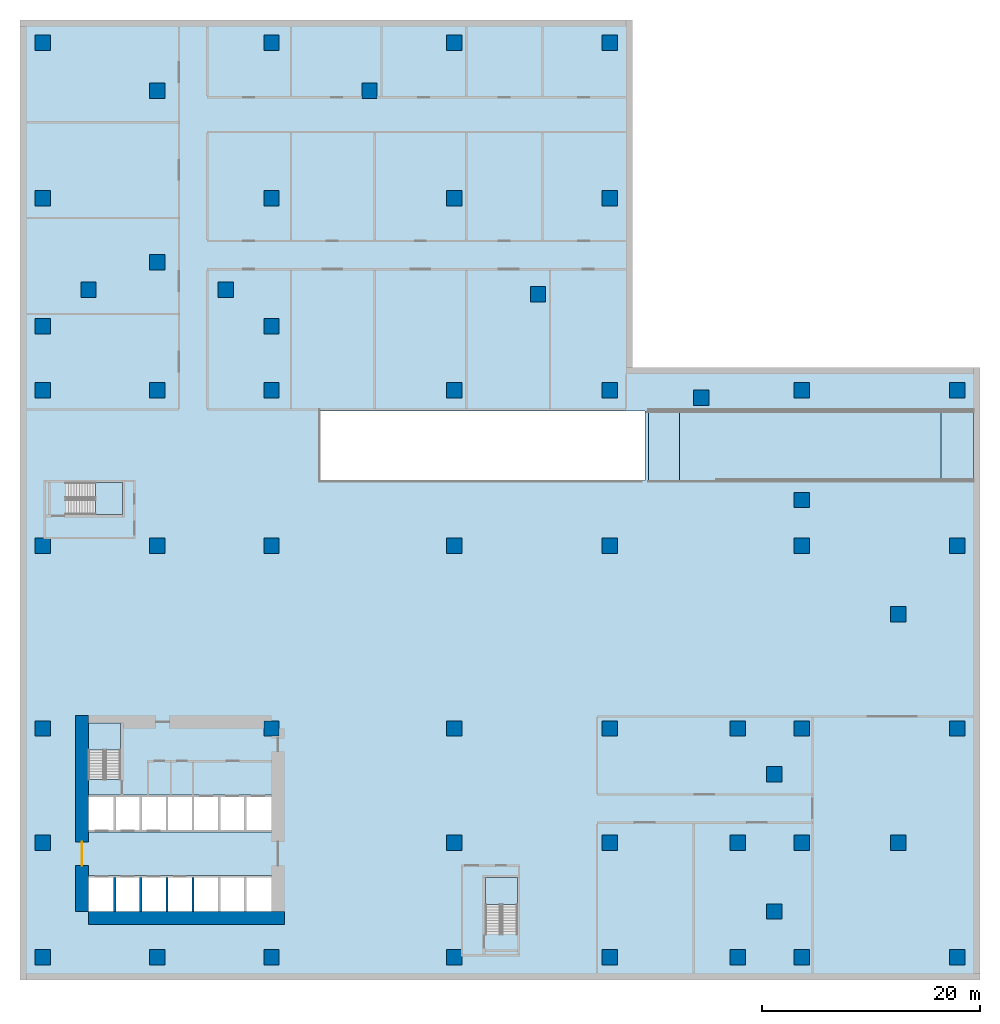
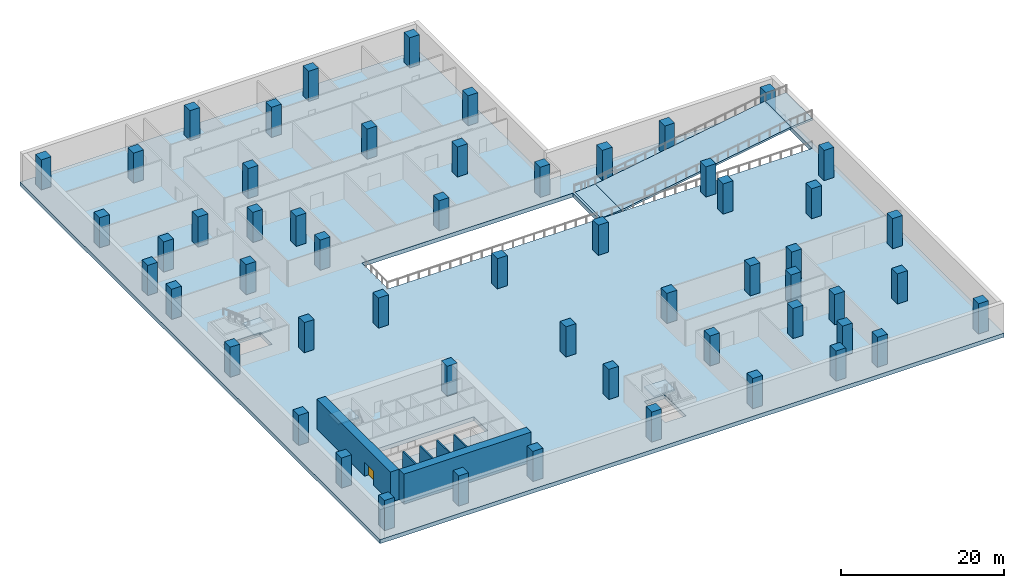
# One storey, part 1 of 12: 56 columns, 7 slabs, 6 walls, 1 door, 1 opening, 3 elements without a shape of their own.
"""IFC4 building model written with IfcOpenShell, lengths in metres."""

import ifcopenshell
import ifcopenshell.guid

model = None  # the IFC model being written
_history = None  # IfcOwnerHistory: only IFC2X3 demands one
_inside = {}  # id of a spatial element -> (the spatial element, [elements in it])
_under = {}  # id of a project, library or spatial element -> (it, [spatial elements below it])
_declared = {}  # id of a project -> (the project, [libraries it declares])
_typed = {}  # id of a type object -> (the type object, [elements of that type])
_made_of = {}  # id of a material, layer set ... -> (it, [elements and type objects made of it])


def new_model(schema):
    """Start an empty IFC model of exactly this schema.

    Asked for "IFC4X3", IfcOpenShell would pick the latest addendum, in which some entities
    have other attributes; the version numbers below select the first issue.
    IFC2X3 requires an IfcOwnerHistory on every rooted entity: one is made here for all.
    """
    global model, _history
    if schema == "IFC4X3":
        model = ifcopenshell.file(schema_version=(4, 3, 0, 0))
    else:
        model = ifcopenshell.file(schema=schema)
    _inside.clear()
    _under.clear()
    _declared.clear()
    _typed.clear()
    _made_of.clear()
    _history = None
    if model.schema == "IFC2X3":
        org = make("IfcOrganization", Name="unknown")
        user = make(
            "IfcPersonAndOrganization",
            ThePerson=make("IfcPerson", FamilyName="unknown"),
            TheOrganization=org,
        )
        app = make(
            "IfcApplication",
            ApplicationDeveloper=org,
            Version="unknown",
            ApplicationFullName="unknown",
            ApplicationIdentifier="unknown",
        )
        _history = make(
            "IfcOwnerHistory",
            OwningUser=user,
            OwningApplication=app,
            ChangeAction="ADDED",
            CreationDate=0,
        )
    return model


def make(cls, **values):
    """One entity of the class cls with the attributes given. An attribute that is None is left unset."""
    return model.create_entity(
        cls, **{name: value for name, value in values.items() if value is not None}
    )


def rooted(cls, **values):
    """An entity with a GlobalId (a new one), such as an element, a storey or a relation."""
    return make(cls, GlobalId=ifcopenshell.guid.new(), OwnerHistory=_history, **values)


def si_unit(unit_type, name, prefix=None):
    """IfcSIUnit, for example si_unit("LENGTHUNIT", "METRE", prefix="MILLI")."""
    return make("IfcSIUnit", UnitType=unit_type, Prefix=prefix, Name=name)


def assignment(units):
    """IfcUnitAssignment: the units of a project."""
    return None if units is None else make("IfcUnitAssignment", Units=units)


def point(xyz):
    """IfcCartesianPoint."""
    return None if xyz is None else make("IfcCartesianPoint", Coordinates=xyz)


def direction(xyz):
    """IfcDirection."""
    return None if xyz is None else make("IfcDirection", DirectionRatios=xyz)


def frame(location, z_axis=None, x_axis=None):
    """IfcAxis2Placement3D, a coordinate frame: its origin and axes. An axis left out is left unset."""
    return make(
        "IfcAxis2Placement3D",
        Location=point(location),
        Axis=direction(z_axis),
        RefDirection=direction(x_axis),
    )


def frame_2d(location, x_axis=None):
    """IfcAxis2Placement2D, a coordinate frame in the plane: its origin and x axis."""
    return make(
        "IfcAxis2Placement2D", Location=point(location), RefDirection=direction(x_axis)
    )


def origin():
    """The frame at (0, 0, 0) with its axes left unset."""
    return frame((0.0, 0.0, 0.0))


def origin_2d():
    """The frame at (0, 0) in the plane with its x axis left unset."""
    return frame_2d((0.0, 0.0))


def place(relative_to, where):
    """IfcLocalPlacement: puts the frame where relative to a parent placement (None: the world)."""
    return make(
        "IfcLocalPlacement", PlacementRelTo=relative_to, RelativePlacement=where
    )


def context(
    kind, dimensions, precision=None, world=None, true_north=None, identifier=None
):
    """IfcGeometricRepresentationContext, for example the 3D "Model" context."""
    return make(
        "IfcGeometricRepresentationContext",
        ContextIdentifier=identifier,
        ContextType=kind,
        CoordinateSpaceDimension=dimensions,
        Precision=precision,
        WorldCoordinateSystem=world,
        TrueNorth=true_north,
    )


def subcontext(parent, identifier, kind, view, scale=None):
    """IfcGeometricRepresentationSubContext, for example "Body" below "Model"."""
    return make(
        "IfcGeometricRepresentationSubContext",
        ContextIdentifier=identifier,
        ContextType=kind,
        ParentContext=parent,
        TargetScale=scale,
        TargetView=view,
    )


def project(units=None, contexts=None):
    """IfcProject with its units and contexts."""
    return rooted(
        "IfcProject",
        Name="project",
        RepresentationContexts=contexts,
        UnitsInContext=assignment(units),
    )


def spatial(cls, under=None, at=None, **own):
    """A site, building, storey or space (cls), placed at a placement, below another one or the project."""
    s = rooted(cls, ObjectPlacement=at, **own)
    if under is not None:
        _under.setdefault(under.id(), (under, []))[1].append(s)
    return s


def polyline(points):
    """IfcPolyline through the points."""
    return make("IfcPolyline", Points=[point(p) for p in points])


def profile(cls, at=None, kind="AREA", **sizes):
    """A parametric profile (cls). Its sizes go by their IFC names, for example OverallWidth=200.0."""
    return make(cls, ProfileType=kind, Position=at, **sizes)


def rectangle(**sizes):
    """IfcRectangleProfileDef."""
    return profile("IfcRectangleProfileDef", **sizes)


def outline(outer, holes=None, kind="AREA"):
    """IfcArbitraryClosedProfileDef: a profile drawn as a closed curve; with holes, ...WithVoids."""
    if holes is None:
        return make("IfcArbitraryClosedProfileDef", ProfileType=kind, OuterCurve=outer)
    return make(
        "IfcArbitraryProfileDefWithVoids",
        ProfileType=kind,
        OuterCurve=outer,
        InnerCurves=holes,
    )


def extrude(swept, where, along, depth):
    """IfcExtrudedAreaSolid: the profile swept, set in the frame where, extruded along a direction by depth."""
    return make(
        "IfcExtrudedAreaSolid",
        SweptArea=swept,
        Position=where,
        ExtrudedDirection=direction(along),
        Depth=depth,
    )


def shape(context_of_items, identifier, shape_type, items):
    """IfcShapeRepresentation: the items that make up one representation, for example the "Body"."""
    return make(
        "IfcShapeRepresentation",
        ContextOfItems=context_of_items,
        RepresentationIdentifier=identifier,
        RepresentationType=shape_type,
        Items=items,
    )


def source(mapping_origin, context_of_items, identifier, shape_type, items):
    """IfcRepresentationMap: a shape defined once, which mapped items show again and again."""
    return make(
        "IfcRepresentationMap",
        MappingOrigin=mapping_origin,
        MappedRepresentation=shape(context_of_items, identifier, shape_type, items),
    )


def transform(
    local_origin,
    x_axis=None,
    y_axis=None,
    z_axis=None,
    scale=None,
    scale2=None,
    scale3=None,
    uniform=True,
):
    """IfcCartesianTransformationOperator3D, or its non-uniform kind. x_axis, y_axis, z_axis: its Axis1, 2, 3."""
    if uniform:
        return make(
            "IfcCartesianTransformationOperator3D",
            Axis1=direction(x_axis),
            Axis2=direction(y_axis),
            LocalOrigin=point(local_origin),
            Scale=scale,
            Axis3=direction(z_axis),
        )
    return make(
        "IfcCartesianTransformationOperator3DnonUniform",
        Axis1=direction(x_axis),
        Axis2=direction(y_axis),
        LocalOrigin=point(local_origin),
        Scale=scale,
        Axis3=direction(z_axis),
        Scale2=scale2,
        Scale3=scale3,
    )


def mapped(mapping_source, mapping_target):
    """IfcMappedItem: shows the shape of a source again, moved by a transform."""
    return make(
        "IfcMappedItem", MappingSource=mapping_source, MappingTarget=mapping_target
    )


def material(Name=None, Category=None):
    """IfcMaterial."""
    return make("IfcMaterial", Name=Name, Category=Category)


def layer(
    of_material, thickness, ventilated=None, Name=None, Category=None, Priority=None
):
    """IfcMaterialLayer: one layer of a wall or slab, of a material (None: an air gap)."""
    return make(
        "IfcMaterialLayer",
        Material=of_material,
        LayerThickness=thickness,
        IsVentilated=ventilated,
        Name=Name,
        Category=Category,
        Priority=Priority,
    )


def layer_set(layers, Name=None):
    """IfcMaterialLayerSet."""
    return make("IfcMaterialLayerSet", MaterialLayers=layers, LayerSetName=Name)


def material_profile(
    of_material, cross_section, Name=None, Category=None, Priority=None
):
    """IfcMaterialProfile: a cross section and its material."""
    return make(
        "IfcMaterialProfile",
        Name=Name,
        Material=of_material,
        Profile=cross_section,
        Priority=Priority,
        Category=Category,
    )


def profile_set(profiles, Name=None, composite=None):
    """IfcMaterialProfileSet."""
    return make(
        "IfcMaterialProfileSet",
        Name=Name,
        MaterialProfiles=profiles,
        CompositeProfile=composite,
    )


def made_of(thing, what):
    """Note that an element or type object is made of a material, layer set ...; save() writes the relation."""
    if what is not None:
        _made_of.setdefault(what.id(), (what, []))[1].append(thing)
    return thing


def type_object(cls, material=None, **own):
    """A type object (cls), such as IfcWallType, which elements share."""
    return made_of(rooted(cls, **own), material)


def element(
    cls,
    number,
    at=None,
    inside=None,
    cuts=None,
    type_object=None,
    material=None,
    context=None,
    identifier="Body",
    shape_type=None,
    held_by="IfcProductDefinitionShape",
    body=None,
    shapes=None,
    **own,
):
    """One element of the class cls, such as IfcWall. Its Tag is "e" and its number.

    at: its placement. inside: the storey or other place that contains it. cuts: it is an
    opening in that element (IfcRelVoidsElement). A single representation is given by context,
    identifier, shape_type and body (its items); several are given by shapes. held_by: the class
    of the entity that holds the representations. save() writes the other relations.
    """
    e = rooted(cls, Tag="e%d" % number, ObjectPlacement=at, **own)
    if body is not None:
        shapes = [shape(context, identifier, shape_type, body)]
    if shapes is not None:
        e.Representation = make(held_by, Representations=shapes)
    if inside is not None:
        _inside.setdefault(inside.id(), (inside, []))[1].append(e)
    if cuts is not None:
        rooted(
            "IfcRelVoidsElement", RelatingBuildingElement=cuts, RelatedOpeningElement=e
        )
    if type_object is not None:
        _typed.setdefault(type_object.id(), (type_object, []))[1].append(e)
    return made_of(e, material)


def fill(opening, filler):
    """IfcRelFillsElement: the door or window that sits in an opening."""
    return rooted(
        "IfcRelFillsElement",
        RelatingOpeningElement=opening,
        RelatedBuildingElement=filler,
    )


def aggregate(whole, parts):
    """IfcRelAggregates: a whole, such as a stair, and the parts it consists of."""
    return rooted("IfcRelAggregates", RelatingObject=whole, RelatedObjects=parts)


def save(model, path):
    """Write the relations noted so far, then the file.

    IfcRelAggregates (storeys below a building ...), IfcRelContainedInSpatialStructure (elements
    in a storey), IfcRelDefinesByType, IfcRelAssociatesMaterial and IfcRelDeclares: one each for
    every whole, place, type object, material and project.
    """
    for whole, parts in _under.values():
        aggregate(whole, parts)
    for where, things in _inside.values():
        rooted(
            "IfcRelContainedInSpatialStructure",
            RelatedElements=things,
            RelatingStructure=where,
        )
    for kind, things in _typed.values():
        rooted("IfcRelDefinesByType", RelatedObjects=things, RelatingType=kind)
    for what, things in _made_of.values():
        rooted("IfcRelAssociatesMaterial", RelatedObjects=things, RelatingMaterial=what)
    for by, libraries in _declared.values():
        rooted("IfcRelDeclares", RelatingContext=by, RelatedDefinitions=libraries)
    model.write(path)


model = new_model("IFC4")

# Units and contexts
model_context = context("Model", 3, precision=1e-05, world=origin(), true_north=direction((0.0, 1.0)))
body_context = subcontext(model_context, "Body", "Model", "MODEL_VIEW")
ifc_project = project(units=[si_unit("LENGTHUNIT", "METRE"), si_unit("AREAUNIT", "SQUARE_METRE"), si_unit("VOLUMEUNIT", "CUBIC_METRE"), si_unit("PLANEANGLEUNIT", "RADIAN"), si_unit("MASSUNIT", "GRAM", prefix="KILO")], contexts=[model_context])

# Site, building, storey
site_placement = place(None, origin())
site = spatial("IfcSite", under=ifc_project, at=site_placement, CompositionType="ELEMENT")
building_placement = place(site_placement, origin())
building = spatial("IfcBuilding", under=site, at=building_placement, Name="Aurelian Terraces", CompositionType="ELEMENT")
storey_placement = place(building_placement, frame((0.0, 0.0, -4.5)))
storey = spatial("IfcBuildingStorey", under=building, at=storey_placement, Name="B1", CompositionType="ELEMENT", Elevation=-4.5)

# Columns
ifc_material_1 = material(Name="Concrete fc' 83 MPa", Category="concrete")
ifc_material_profile = material_profile(ifc_material_1, rectangle(XDim=1.4, YDim=1.4, at=origin_2d()))
ifc_profile_set = profile_set([ifc_material_profile], Name="Concrete fc' 83 MPa")
column_type = type_object("IfcColumnType", Name="RC COLUMN 1400X1400 FC83", PredefinedType="COLUMN", material=ifc_profile_set)
shared_shape_1 = source(origin(), body_context, "Body", "SweptSolid", [
    extrude(rectangle(XDim=1.4, YDim=1.4, at=origin_2d()), origin(), (0.0, 0.0, 1.0), 4.5),
])
for number, where, z_axis, x_axis, name in (
    (1, (0.0, 0.0, 0.0), (0.0, 0.0, 1.0), (1.0, 0.0, 0.0), "Column 1/A B1"),
    (2, (0.0, 10.5, 0.0), (0.0, 0.0, 1.0), (1.0, 0.0, 0.0), "Column 1/B B1"),
    (3, (0.0, 21.0, 0.0), (0.0, 0.0, 1.0), (1.0, 0.0, 0.0), "Column 1/C B1"),
    (4, (0.0, 37.8, 0.0), (0.0, 0.0, 1.0), (1.0, 0.0, 0.0), "Column 1/E B1"),
    (5, (0.0, 52.08, 0.0), (0.0, 0.0, 1.0), (1.0, 0.0, 0.0), "Column 1/G B1"),
    (6, (0.0, 57.96, 0.0), (0.0, 0.0, 1.0), (1.0, 0.0, 0.0), "Column 1/H B1"),
    (7, (0.0, 69.72, 0.0), (0.0, 0.0, 1.0), (1.0, 0.0, 0.0), "Column 1/J B1"),
    (8, (0.0, 84.0, 0.0), (0.0, 0.0, 1.0), (1.0, 0.0, 0.0), "Column 1/K B1"),
    (9, (4.2, 61.32, 0.0), (0.0, 0.0, 1.0), (1.0, 0.0, 0.0), "Column 4.20/61.32 B1"),
    (10, (10.5, 0.0, 0.0), (0.0, 0.0, 1.0), (1.0, 0.0, 0.0), "Column 2/A B1"),
    (11, (10.5, 37.8, 0.0), (0.0, 0.0, 1.0), (1.0, 0.0, 0.0), "Column 2/E B1"),
    (12, (10.5, 52.08, 0.0), (0.0, 0.0, 1.0), (1.0, 0.0, 0.0), "Column 2/G B1"),
    (13, (10.5, 63.84, 0.0), (0.0, 0.0, 1.0), (1.0, 0.0, 0.0), "Column 2/I B1"),
    (14, (10.5, 79.6, 0.0), (0.0, 0.0, 1.0), (1.0, 0.0, 0.0), "Column 10.50/79.60 B1"),
    (15, (16.8, 61.32, 0.0), (0.0, 0.0, 1.0), (1.0, 0.0, 0.0), "Column 16.80/61.32 B1"),
    (16, (21.0, 0.0, 0.0), (0.0, 0.0, 1.0), (1.0, 0.0, 0.0), "Column 3/A B1"),
    (17, (21.0, 21.0, 0.0), (0.0, 0.0, 1.0), (1.0, 0.0, 0.0), "Column 3/C B1"),
    (18, (21.0, 37.8, 0.0), (0.0, 0.0, 1.0), (1.0, 0.0, 0.0), "Column 3/E B1"),
    (19, (21.0, 52.08, 0.0), (0.0, 0.0, 1.0), (1.0, 0.0, 0.0), "Column 3/G B1"),
    (20, (21.0, 57.96, 0.0), (0.0, 0.0, 1.0), (1.0, 0.0, 0.0), "Column 3/H B1"),
    (21, (21.0, 69.72, 0.0), (0.0, 0.0, 1.0), (1.0, 0.0, 0.0), "Column 3/J B1"),
    (22, (21.0, 84.0, 0.0), (0.0, 0.0, 1.0), (1.0, 0.0, 0.0), "Column 3/K B1"),
    (23, (30.0, 79.6, 0.0), (0.0, 0.0, 1.0), (1.0, 0.0, 0.0), "Column 30.00/79.60 B1"),
    (24, (37.8, 0.0, 0.0), (0.0, 0.0, 1.0), (1.0, 0.0, 0.0), "Column 5/A B1"),
    (25, (37.8, 10.5, 0.0), (0.0, 0.0, 1.0), (1.0, 0.0, 0.0), "Column 5/B B1"),
    (26, (37.8, 21.0, 0.0), (0.0, 0.0, 1.0), (1.0, 0.0, 0.0), "Column 5/C B1"),
    (27, (37.8, 37.8, 0.0), (0.0, 0.0, 1.0), (1.0, 0.0, 0.0), "Column 5/E B1"),
    (28, (37.8, 52.08, 0.0), (0.0, 0.0, 1.0), (1.0, 0.0, 0.0), "Column 5/G B1"),
    (29, (37.8, 69.72, 0.0), (0.0, 0.0, 1.0), (1.0, 0.0, 0.0), "Column 5/J B1"),
    (30, (37.8, 84.0, 0.0), (0.0, 0.0, 1.0), (1.0, 0.0, 0.0), "Column 5/K B1"),
    (31, (45.5, 60.9, 0.0), (0.0, 0.0, 1.0), (1.0, 0.0, 0.0), "Column 45.50/60.90 B1"),
    (32, (52.08, 0.0, 0.0), (0.0, 0.0, 1.0), (1.0, 0.0, 0.0), "Column 7/A B1"),
    (33, (52.08, 10.5, 0.0), (0.0, 0.0, 1.0), (1.0, 0.0, 0.0), "Column 7/B B1"),
    (34, (52.08, 21.0, 0.0), (0.0, 0.0, 1.0), (1.0, 0.0, 0.0), "Column 7/C B1"),
    (35, (52.08, 37.8, 0.0), (0.0, 0.0, 1.0), (1.0, 0.0, 0.0), "Column 7/E B1"),
    (36, (52.08, 52.08, 0.0), (0.0, 0.0, 1.0), (1.0, 0.0, 0.0), "Column 7/G B1"),
    (37, (52.08, 69.72, 0.0), (0.0, 0.0, 1.0), (1.0, 0.0, 0.0), "Column 7/J B1"),
    (38, (52.08, 84.0, 0.0), (0.0, 0.0, 1.0), (1.0, 0.0, 0.0), "Column 7/K B1"),
    (39, (60.5, 51.4, 0.0), (0.0, 0.0, 1.0), (1.0, 0.0, 0.0), "Column 60.50/51.40 B1"),
    (40, (63.84, 0.0, 0.0), (0.0, 0.0, 1.0), (1.0, 0.0, 0.0), "Column 9/A B1"),
    (41, (63.84, 10.5, 0.0), (0.0, 0.0, 1.0), (1.0, 0.0, 0.0), "Column 9/B B1"),
    (42, (63.84, 21.0, 0.0), (0.0, 0.0, 1.0), (1.0, 0.0, 0.0), "Column 9/C B1"),
    (43, (67.2, 4.2, 0.0), (0.0, 0.0, 1.0), (1.0, 0.0, 0.0), "Column 67.20/4.20 B1"),
    (44, (67.2, 16.8, 0.0), (0.0, 0.0, 1.0), (1.0, 0.0, 0.0), "Column 67.20/16.80 B1"),
    (45, (69.72, 0.0, 0.0), (0.0, 0.0, 1.0), (1.0, 0.0, 0.0), "Column 10/A B1"),
    (46, (69.72, 10.5, 0.0), (0.0, 0.0, 1.0), (1.0, 0.0, 0.0), "Column 10/B B1"),
    (47, (69.72, 21.0, 0.0), (0.0, 0.0, 1.0), (1.0, 0.0, 0.0), "Column 10/C B1"),
    (48, (69.72, 37.8, 0.0), (0.0, 0.0, 1.0), (1.0, 0.0, 0.0), "Column 10/E B1"),
    (49, (69.72, 42.0, 0.0), (0.0, 0.0, 1.0), (1.0, 0.0, 0.0), "Column 69.72/42.00 B1"),
    (50, (69.72, 52.08, 0.0), (0.0, 0.0, 1.0), (1.0, 0.0, 0.0), "Column 10/G B1"),
    (51, (78.6, 10.5, 0.0), (0.0, 0.0, 1.0), (1.0, 0.0, 0.0), "Column 78.60/10.50 B1"),
    (52, (78.6, 31.5, 0.0), (0.0, 0.0, 1.0), (1.0, 0.0, 0.0), "Column 78.60/31.50 B1"),
    (53, (84.0, 0.0, 0.0), (0.0, 0.0, 1.0), (1.0, 0.0, 0.0), "Column 11/A B1"),
    (54, (84.0, 21.0, 0.0), (0.0, 0.0, 1.0), (1.0, 0.0, 0.0), "Column 11/C B1"),
    (55, (84.0, 37.8, 0.0), (0.0, 0.0, 1.0), (1.0, 0.0, 0.0), "Column 11/E B1"),
    (56, (84.0, 52.08, 0.0), (0.0, 0.0, 1.0), (1.0, 0.0, 0.0), "Column 11/G B1"),
):
    element("IfcColumn", number, at=place(storey_placement, frame(where, z_axis=z_axis, x_axis=x_axis)), inside=storey, type_object=column_type, Name=name, PredefinedType="COLUMN", context=body_context, shape_type="MappedRepresentation", body=[
        mapped(shared_shape_1, transform((0.0, 0.0, 0.0), scale=1.0)),
    ])

# Slabs
ifc_material_2 = material(Name="Concrete fc' 40 MPa", Category="concrete")
ifc_layer_1 = layer(ifc_material_2, 0.3)
ifc_layer_set_1 = layer_set([ifc_layer_1], Name="CAR PARK RAMP SLAB 300 FC40")
slab_type_1 = type_object("IfcSlabType", Name="CAR PARK RAMP SLAB 300 FC40", PredefinedType="FLOOR", material=ifc_layer_set_1)
slab_1_placement = place(storey_placement, frame((55.6495, 43.8, 0.0125), z_axis=(0.0, 0.0, 1.0), x_axis=(1.0, 0.0, 0.0)))
element("IfcSlab", 57, at=slab_1_placement, inside=storey, type_object=slab_type_1, Name="Car park ramp R1 slab piece 1", PredefinedType="FLOOR", context=body_context, shape_type="SweptSolid", body=[
    extrude(outline(polyline([(0.0, 0.0), (2.8505, 0.2375), (2.8505, -0.0625), (0.0, -0.3), (0.0, 0.0)])), frame((0.0, 6.4, 0.0), z_axis=(0.0, -1.0, 0.0), x_axis=(1.0, 0.0, 0.0)), (0.0, 0.0, 1.0), 6.4),
])
slab_2_placement = place(storey_placement, frame((58.5, 43.8, 0.25), z_axis=(0.0, 0.0, 1.0), x_axis=(1.0, 0.0, 0.0)))
element("IfcSlab", 58, at=slab_2_placement, inside=storey, type_object=slab_type_1, Name="Car park ramp R1 slab piece 2", PredefinedType="FLOOR", context=body_context, shape_type="SweptSolid", body=[
    extrude(outline(polyline([(0.0, 0.0), (24.0, 4.0), (24.0, 3.7), (0.0, -0.3), (0.0, 0.0)])), frame((0.0, 6.4, 0.0), z_axis=(0.0, -1.0, 0.0), x_axis=(1.0, 0.0, 0.0)), (0.0, 0.0, 1.0), 6.4),
])
slab_3_placement = place(storey_placement, frame((82.5, 43.8, 4.25), z_axis=(0.0, 0.0, 1.0), x_axis=(1.0, 0.0, 0.0)))
element("IfcSlab", 59, at=slab_3_placement, inside=storey, type_object=slab_type_1, Name="Car park ramp R1 slab piece 3", PredefinedType="FLOOR", context=body_context, shape_type="SweptSolid", body=[
    extrude(outline(polyline([(0.0, 0.0), (3.0, 0.25), (3.0, -0.05), (0.0, -0.3), (0.0, 0.0)])), frame((0.0, 6.4, 0.0), z_axis=(0.0, -1.0, 0.0), x_axis=(1.0, 0.0, 0.0)), (0.0, 0.0, 1.0), 6.4),
])
ifc_layer_2 = layer(ifc_material_2, 0.6)
ifc_layer_set_2 = layer_set([ifc_layer_2], Name="PT FLAT PLATE 600")
slab_type_2 = type_object("IfcSlabType", Name="PT FLAT PLATE 600", PredefinedType="FLOOR", material=ifc_layer_set_2)
slab_4_placement = place(storey_placement, frame((0.0, 0.0, -0.6)))
element("IfcSlab", 60, at=slab_4_placement, inside=storey, type_object=slab_type_2, Name="Floor slab P B1", PredefinedType="FLOOR", context=body_context, shape_type="SweptSolid", body=[
    extrude(outline(polyline([(86.1, -2.1), (54.18, -2.1), (-2.1, -2.1), (-2.1, 54.18), (-2.1, 86.1), (54.18, 86.1), (54.18, 54.18), (86.1, 54.18), (86.1, -2.1)]), holes=[polyline([(85.49, 50.19), (55.66, 50.19), (55.66, 43.81), (85.49, 43.81), (85.49, 50.19)]), polyline([(55.34, 50.19), (25.51, 50.19), (25.51, 43.81), (55.34, 43.81), (55.34, 50.19)]), polyline([(40.66, 2.11), (43.59, 2.11), (43.59, 7.29), (40.66, 7.29), (40.66, 2.11)]), polyline([(4.21, 7.49), (4.21, 4.21), (20.99, 4.21), (20.99, 7.49), (4.21, 7.49)]), polyline([(4.21, 14.89), (4.21, 11.51), (20.99, 11.51), (20.99, 14.89), (4.21, 14.89)]), polyline([(7.29, 43.59), (2.11, 43.59), (2.11, 40.66), (7.29, 40.66), (7.29, 43.59)]), polyline([(4.21, 21.49), (4.21, 16.31), (7.14, 16.31), (7.14, 21.49), (4.21, 21.49)])]), origin(), (0.0, 0.0, 1.0), 0.6),
])

# Stair, slab
stair_type = type_object("IfcStairType", Name="Stair 1400", PredefinedType="HALF_TURN_STAIR", material=ifc_material_2)
stair_1_placement = place(storey_placement, origin())
stair_1 = element("IfcStair", 61, at=stair_1_placement, inside=storey, type_object=stair_type, Name="B1 S1", PredefinedType="HALF_TURN_STAIR")
ifc_layer_3 = layer(ifc_material_2, 0.2)
ifc_layer_set_3 = layer_set([ifc_layer_3], Name="Stair landing 200")
slab_type_3 = type_object("IfcSlabType", Name="Stair landing 200", PredefinedType="LANDING", material=ifc_layer_set_3)
shared_shape_2 = source(origin(), body_context, "Body", "SweptSolid", [
    extrude(outline(polyline([(7.15, 19.05), (7.15, 21.5), (4.2, 21.5), (4.2, 19.05), (7.15, 19.05)])), origin(), (0.0, 0.0, 1.0), 0.2),
])
slab_5_placement = place(storey_placement, frame((0.0, 0.0, 2.05)))
slab_5 = element("IfcSlab", 62, at=slab_5_placement, type_object=slab_type_3, Name="S1 landing 1", PredefinedType="LANDING", context=body_context, shape_type="MappedRepresentation", body=[
    mapped(shared_shape_2, transform((0.0, 0.0, 0.0), scale=1.0)),
])
aggregate(stair_1, [slab_5])

stair_2_placement = place(storey_placement, origin())
stair_2 = element("IfcStair", 63, at=stair_2_placement, inside=storey, type_object=stair_type, Name="B1 S2", PredefinedType="HALF_TURN_STAIR")
shared_shape_3 = source(origin(), body_context, "Body", "SweptSolid", [
    extrude(outline(polyline([(43.6, 4.85), (43.6, 7.3), (40.65, 7.3), (40.65, 4.85), (43.6, 4.85)])), origin(), (0.0, 0.0, 1.0), 0.2),
])
slab_6_placement = place(storey_placement, frame((0.0, 0.0, 2.05)))
slab_6 = element("IfcSlab", 64, at=slab_6_placement, type_object=slab_type_3, Name="S2 landing 1", PredefinedType="LANDING", context=body_context, shape_type="MappedRepresentation", body=[
    mapped(shared_shape_3, transform((0.0, 0.0, 0.0), scale=1.0)),
])
aggregate(stair_2, [slab_6])

stair_3_placement = place(storey_placement, origin())
stair_3 = element("IfcStair", 65, at=stair_3_placement, inside=storey, type_object=stair_type, Name="B1 S3", PredefinedType="HALF_TURN_STAIR")
shared_shape_4 = source(origin(), body_context, "Body", "SweptSolid", [
    extrude(outline(polyline([(4.85, 40.65), (7.3, 40.65), (7.3, 43.6), (4.85, 43.6), (4.85, 40.65)])), origin(), (0.0, 0.0, 1.0), 0.2),
])
slab_7_placement = place(storey_placement, frame((0.0, 0.0, 2.05)))
slab_7 = element("IfcSlab", 66, at=slab_7_placement, type_object=slab_type_3, Name="S3 landing 1", PredefinedType="LANDING", context=body_context, shape_type="MappedRepresentation", body=[
    mapped(shared_shape_4, transform((0.0, 0.0, 0.0), scale=1.0)),
])
aggregate(stair_3, [slab_7])

# Wall, opening, door
ifc_layer_4 = layer(ifc_material_1, 1.2)
ifc_layer_set_4 = layer_set([ifc_layer_4], Name="CORE WALL 1200 FC83")
wall_type_1 = type_object("IfcWallType", Name="CORE WALL 1200 FC83", PredefinedType="SHEAR", material=ifc_layer_set_4)
shared_shape_5 = source(origin(), body_context, "Body", "SweptSolid", [
    extrude(rectangle(XDim=18.0, YDim=1.2, at=frame_2d((9.0, 0.0))), origin(), (0.0, 0.0, 1.0), 4.5),
])
wall_1_placement = place(storey_placement, frame((3.6, 4.2, 0.0), z_axis=(0.0, 0.0, 1.0), x_axis=(0.0, 1.0, 0.0)))
wall_1 = element("IfcWall", 67, at=wall_1_placement, inside=storey, type_object=wall_type_1, Name="Core wall W B1", PredefinedType="SHEAR", context=body_context, shape_type="MappedRepresentation", body=[
    mapped(shared_shape_5, transform((0.0, 0.0, 0.0), scale=1.0)),
])
shared_shape_6 = source(origin(), body_context, "Body", "SweptSolid", [
    extrude(rectangle(XDim=2.2, YDim=2.1, at=frame_2d((1.1, 1.05))), frame((0.0, 0.61, 0.0), z_axis=(0.0, -1.0, 0.0), x_axis=(1.0, 0.0, 0.0)), (0.0, 0.0, 1.0), 1.22),
])
opening_placement = place(wall_1_placement, frame((4.2, 0.0, 0.0)))
opening = element("IfcOpeningElement", 68, at=opening_placement, cuts=wall_1, Name="Opening 60221", PredefinedType="OPENING", context=body_context, shape_type="MappedRepresentation", body=[
    mapped(shared_shape_6, transform((0.0, 0.0, 0.0), scale=1.0)),
])
ifc_material_3 = material(Name="Steel door leaf", Category="steel")
door_type = type_object("IfcDoorType", Name="Core double door 2200x2100", OperationType="DOUBLE_DOOR_SINGLE_SWING", PredefinedType="DOOR", material=ifc_material_3)
shared_shape_7 = source(origin(), body_context, "Body", "SweptSolid", [
    extrude(rectangle(XDim=2.2, YDim=2.1, at=frame_2d((1.1, 1.05))), frame((0.0, 0.025, 0.0), z_axis=(0.0, -1.0, 0.0), x_axis=(1.0, 0.0, 0.0)), (0.0, 0.0, 1.0), 0.05),
])
door_placement = place(opening_placement, origin())
door = element("IfcDoor", 69, at=door_placement, inside=storey, type_object=door_type, Name="Core door 60221", OperationType="DOUBLE_DOOR_SINGLE_SWING", OverallHeight=2.1, OverallWidth=2.2, PredefinedType="DOOR", context=body_context, shape_type="MappedRepresentation", body=[
    mapped(shared_shape_7, transform((0.0, 0.0, 0.0), scale=1.0)),
])
fill(opening, door)

# Walls
wall_2_placement = place(storey_placement, frame((4.2, 3.6, 0.0), z_axis=(0.0, 0.0, 1.0), x_axis=(1.0, 0.0, 0.0)))
element("IfcWall", 70, at=wall_2_placement, inside=storey, type_object=wall_type_1, Name="Core wall S B1", PredefinedType="SHEAR", context=body_context, shape_type="MappedRepresentation", body=[
    mapped(shared_shape_5, transform((0.0, 0.0, 0.0), scale=1.0)),
])
ifc_layer_5 = layer(ifc_material_2, 0.2)
ifc_layer_set_5 = layer_set([ifc_layer_5], Name="Lift shaft wall 200")
wall_type_2 = type_object("IfcWallType", Name="Lift shaft wall 200", PredefinedType="SOLIDWALL", material=ifc_layer_set_5)
shared_shape_8 = source(origin(), body_context, "Body", "SweptSolid", [
    extrude(rectangle(XDim=3.1, YDim=0.2, at=frame_2d((1.55, 0.0))), origin(), (0.0, 0.0, 1.0), 4.5),
])
for number, where, z_axis, x_axis, name in (
    (71, (6.6, 4.2, 0.0), (0.0, 0.0, 1.0), (0.0, 1.0, 0.0), "B1 core wall CD-A1"),
    (72, (9.0, 4.2, 0.0), (0.0, 0.0, 1.0), (0.0, 1.0, 0.0), "B1 core wall CD-A2"),
    (73, (11.4, 4.2, 0.0), (0.0, 0.0, 1.0), (0.0, 1.0, 0.0), "B1 core wall CD-A3"),
    (74, (13.8, 4.2, 0.0), (0.0, 0.0, 1.0), (0.0, 1.0, 0.0), "B1 core wall CD-A4"),
):
    element("IfcWall", number, at=place(storey_placement, frame(where, z_axis=z_axis, x_axis=x_axis)), inside=storey, type_object=wall_type_2, Name=name, PredefinedType="SOLIDWALL", context=body_context, shape_type="MappedRepresentation", body=[
        mapped(shared_shape_8, transform((0.0, 0.0, 0.0), scale=1.0)),
    ])

save(model, "model.ifc")
